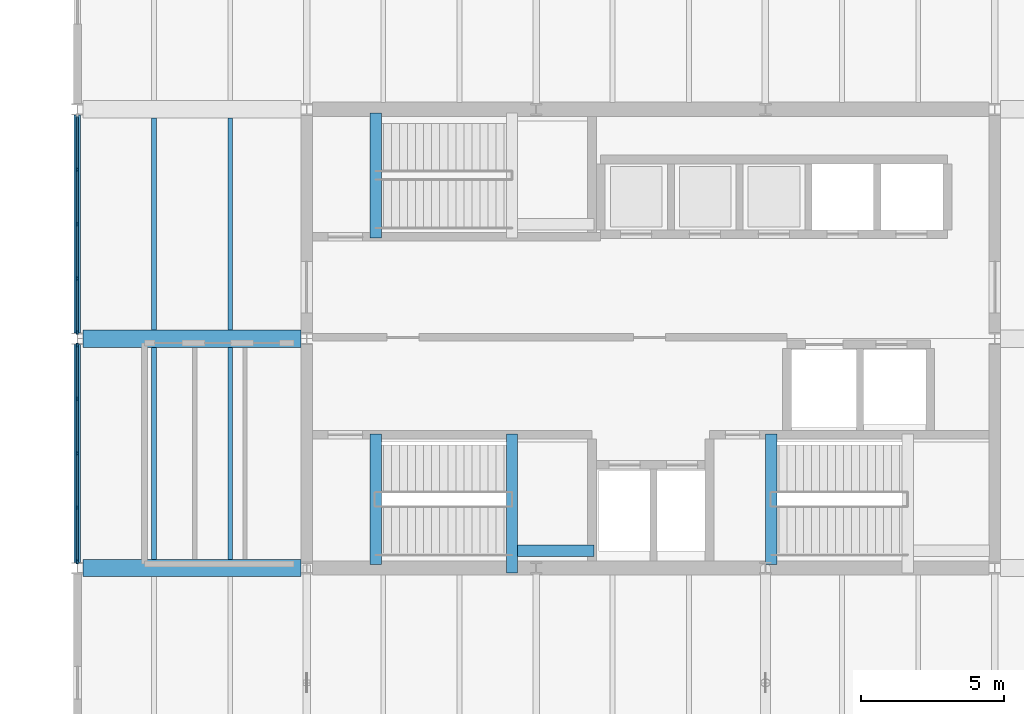
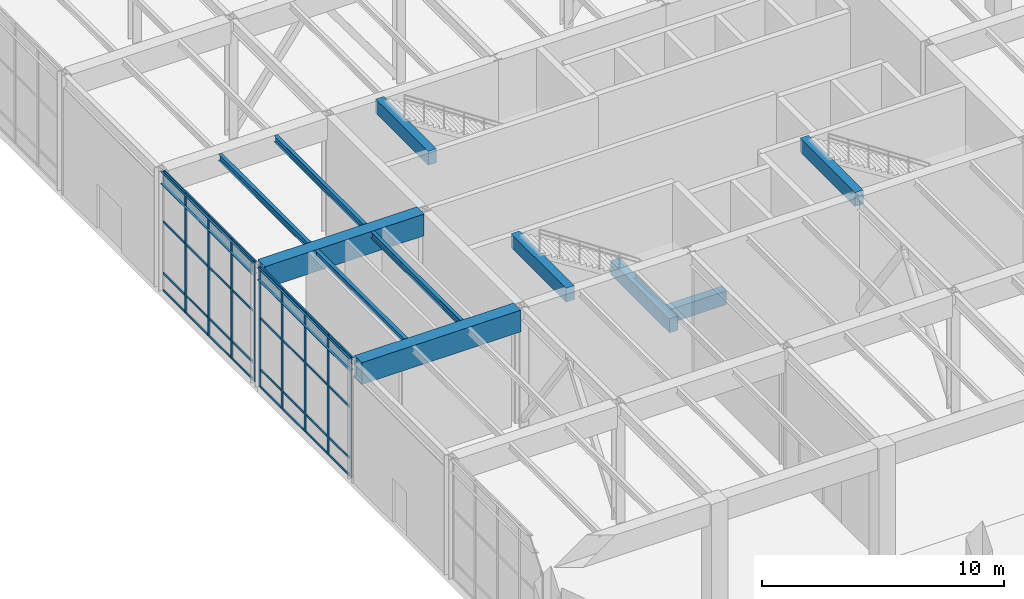
# One storey, part 10 of 51: 41 members, 13 beams, 2 elements without a shape of their own.
"""IFC4 building model written with IfcOpenShell, lengths in metres."""

from ifc_helpers import new_model, si_unit, direction, frame, origin, origin_2d, place, context, subcontext, project, spatial, rectangle, i_section, extrude, material, layer, layer_set, material_profile, profile_set, type_object, element, aggregate, save


model = new_model("IFC4")

# Units and contexts
model_context = context("Model", 3, precision=1e-05, world=origin(), true_north=direction((0.0, 1.0)))
body_context = subcontext(model_context, "Body", "Model", "MODEL_VIEW")
ifc_project = project(units=[si_unit("LENGTHUNIT", "METRE"), si_unit("AREAUNIT", "SQUARE_METRE"), si_unit("VOLUMEUNIT", "CUBIC_METRE"), si_unit("PLANEANGLEUNIT", "RADIAN"), si_unit("MASSUNIT", "GRAM", prefix="KILO")], contexts=[model_context])

# Site, building, storey
site_placement = place(None, origin())
site = spatial("IfcSite", under=ifc_project, at=site_placement, CompositionType="ELEMENT")
building_placement = place(site_placement, origin())
building = spatial("IfcBuilding", under=site, at=building_placement, Name="Varnela Railside Interchange", CompositionType="ELEMENT")
storey_placement = place(building_placement, origin())
storey = spatial("IfcBuildingStorey", under=building, at=storey_placement, Name="L00", CompositionType="ELEMENT", Elevation=0.0)

# Beams
ifc_material_1 = material(Name="Steel AR 350 (350 MPa)", Category="steel")
ifc_material_profile_1 = material_profile(ifc_material_1, i_section(OverallWidth=0.1669921875, OverallDepth=0.31689453125, WebThickness=0.007568359375, FlangeThickness=0.01318359375, at=origin_2d()), Name="W310x52")
ifc_profile_set_1 = profile_set([ifc_material_profile_1], Name="Steel AR 350 (350 MPa)")
beam_type_1 = type_object("IfcBeamType", Name="Composite Long-Span Joist J-03", PredefinedType="JOIST", material=ifc_profile_set_1)
for number, where, z_axis, x_axis, name in (
    (1, (6.669921875, 54.300048828125, 5.861572265625), (0.0, 1.0, 0.0), (-1.0, 0.0, 0.0), "Composite Long-Span Joist J-03 (L00) (BM-1030)"),
    (2, (9.330078125, 54.300048828125, 5.861572265625), (0.0, 1.0, 0.0), (-1.0, 0.0, 0.0), "Composite Long-Span Joist J-03 (L00) (BM-1031)"),
    (3, (6.669921875, 62.300048828125, 5.861572265625), (0.0, 1.0, 0.0), (-1.0, 0.0, 0.0), "Composite Long-Span Joist J-03 (L00) (BM-1032)"),
    (4, (9.330078125, 62.300048828125, 5.861572265625), (0.0, 1.0, 0.0), (-1.0, 0.0, 0.0), "Composite Long-Span Joist J-03 (L00) (BM-1033)"),
):
    element("IfcBeam", number, at=place(storey_placement, frame(where, z_axis=z_axis, x_axis=x_axis)), inside=storey, type_object=beam_type_1, Name=name, PredefinedType="JOIST", context=body_context, shape_type="SweptSolid", body=[
        extrude(i_section(OverallWidth=0.1669921875, OverallDepth=0.31689453125, WebThickness=0.007568359375, FlangeThickness=0.01318359375, at=origin_2d()), origin(), (0.0, 0.0, 1.0), 7.39990234375),
    ])
ifc_material_2 = material(Name="Concrete C50", Category="concrete")
ifc_material_profile_2 = material_profile(ifc_material_2, rectangle(XDim=0.60009765625, YDim=1.10009765625, at=origin_2d()), Name="RC 600x1100")
ifc_profile_set_2 = profile_set([ifc_material_profile_2], Name="Concrete C50")
beam_type_2 = type_object("IfcBeamType", Name="Concourse RC Girder B-06", PredefinedType="BEAM", material=ifc_profile_set_2)
for number, where, z_axis, x_axis, name in (
    (5, (4.200439453125, 54.0, 5.469970703125), (1.0, 0.0, 0.0), (0.0, 1.0, 0.0), "Concourse RC Girder B-06 (L00) (BM-1251)"),
    (6, (4.200439453125, 62.0, 5.469970703125), (1.0, 0.0, 0.0), (0.0, 1.0, 0.0), "Concourse RC Girder B-06 (L00) (BM-1264)"),
):
    element("IfcBeam", number, at=place(storey_placement, frame(where, z_axis=z_axis, x_axis=x_axis)), inside=storey, type_object=beam_type_2, Name=name, PredefinedType="BEAM", context=body_context, shape_type="SweptSolid", body=[
        extrude(rectangle(XDim=0.60009765625, YDim=1.10009765625, at=origin_2d()), origin(), (0.0, 0.0, 1.0), 7.5966796875),
    ])
ifc_material_3 = material(Name="Concrete C40", Category="concrete")
ifc_material_profile_3 = material_profile(ifc_material_3, rectangle(XDim=0.39990234375, YDim=0.699951171875, at=origin_2d()), Name="RC 400x700")
ifc_profile_set_3 = profile_set([ifc_material_profile_3], Name="Concrete C40")
beam_type_3 = type_object("IfcBeamType", Name="Concrete Tie Beam B-01", PredefinedType="BEAM", material=ifc_profile_set_3)
beam_1_placement = place(storey_placement, frame((14.39990234375, 54.1201171875, 5.669921875), z_axis=(0.0, 1.0, 0.0), x_axis=(-1.0, 0.0, 0.0)))
element("IfcBeam", 7, at=beam_1_placement, inside=storey, type_object=beam_type_3, Name="Concrete Tie Beam B-01 (L00) (BM-1454)", PredefinedType="BEAM", context=body_context, shape_type="SweptSolid", body=[
    extrude(rectangle(XDim=0.39990234375, YDim=0.699951171875, at=origin_2d()), origin(), (0.0, 0.0, 1.0), 4.559814453125),
])
beam_2_placement = place(storey_placement, frame((19.159912109375, 53.820068359375, 2.639892578125), z_axis=(0.0, 1.0, 0.0), x_axis=(-1.0, 0.0, 0.0)))
element("IfcBeam", 8, at=beam_2_placement, inside=storey, type_object=beam_type_3, Name="Concrete Tie Beam B-01 (L00) (BM-1441)", PredefinedType="BEAM", context=body_context, shape_type="SweptSolid", body=[
    extrude(rectangle(XDim=0.39990234375, YDim=0.699951171875, at=origin_2d()), origin(), (0.0, 0.0, 1.0), 4.85986328125),
])
beam_3_placement = place(storey_placement, frame((19.360107421875, 54.60009765625, 2.639892578125), z_axis=(1.0, 0.0, 0.0), x_axis=(0.0, 1.0, 0.0)))
element("IfcBeam", 9, at=beam_3_placement, inside=storey, type_object=beam_type_3, Name="Concrete Tie Beam B-01 (L00) (BM-1428)", PredefinedType="BEAM", context=body_context, shape_type="SweptSolid", body=[
    extrude(rectangle(XDim=0.39990234375, YDim=0.699951171875, at=origin_2d()), origin(), (0.0, 0.0, 1.0), 2.659912109375),
])
beam_4_placement = place(storey_placement, frame((28.199951171875, 54.1201171875, 5.669921875), z_axis=(0.0, 1.0, 0.0), x_axis=(-1.0, 0.0, 0.0)))
element("IfcBeam", 10, at=beam_4_placement, inside=storey, type_object=beam_type_3, Name="Concrete Tie Beam B-01 (L00) (BM-1455)", PredefinedType="BEAM", context=body_context, shape_type="SweptSolid", body=[
    extrude(rectangle(XDim=0.39990234375, YDim=0.699951171875, at=origin_2d()), origin(), (0.0, 0.0, 1.0), 4.559814453125),
])
beam_5_placement = place(storey_placement, frame((14.39990234375, 65.52001953125, 5.669921875), z_axis=(0.0, 1.0, 0.0), x_axis=(-1.0, 0.0, 0.0)))
element("IfcBeam", 11, at=beam_5_placement, inside=storey, type_object=beam_type_3, Name="Concrete Tie Beam B-01 (L00) (BM-1456)", PredefinedType="BEAM", context=body_context, shape_type="SweptSolid", body=[
    extrude(rectangle(XDim=0.39990234375, YDim=0.699951171875, at=origin_2d()), origin(), (0.0, 0.0, 1.0), 4.35986328125),
])

# Curtain wall, members
ifc_material_4 = material(Name="Aluminium 6063-T6", Category="aluminium")
ifc_layer = layer(ifc_material_4, 0.035888671875)
ifc_layer_set = layer_set([ifc_layer], Name="Aluminium 6063-T6")
curtain_wall_type = type_object("IfcCurtainWallType", Name="Operations Wing Facade Curtain Wall CW-03", PredefinedType="USERDEFINED", material=ifc_layer_set)
curtain_wall_1_placement = place(storey_placement, origin())
curtain_wall_1 = element("IfcCurtainWall", 12, at=curtain_wall_1_placement, inside=storey, type_object=curtain_wall_type, Name="Curtain Wall CW-03 (L00) (CW-017)", ObjectType="CURTAIN WALL", PredefinedType="USERDEFINED")
ifc_material_profile_4 = material_profile(ifc_material_4, rectangle(XDim=0.06005859375, YDim=0.139892578125, at=origin_2d()), Name="ALU 60x140")
ifc_profile_set_4 = profile_set([ifc_material_profile_4], Name="Aluminium 6063-T6")
member_type_1 = type_object("IfcMemberType", Name="Curtain Wall Mullion ML-01", PredefinedType="MULLION", material=ifc_profile_set_4)
member_1_placement = place(storey_placement, frame((4.0, 54.2294921875, 0.0), z_axis=(0.0, 0.0, 1.0), x_axis=(-1.0, 0.0, 0.0)))
member_1 = element("IfcMember", 13, at=member_1_placement, type_object=member_type_1, Name="CW-03 mullion 1", PredefinedType="MULLION", context=body_context, shape_type="SweptSolid", body=[
    extrude(rectangle(XDim=0.06005859375, YDim=0.139892578125, at=origin_2d()), origin(), (0.0, 0.0, 1.0), 6.02001953125),
])
member_2_placement = place(storey_placement, frame((4.0, 56.099853515625, 0.0), z_axis=(0.0, 0.0, 1.0), x_axis=(-1.0, 0.0, 0.0)))
member_2 = element("IfcMember", 14, at=member_2_placement, type_object=member_type_1, Name="CW-03 mullion 2", PredefinedType="MULLION", context=body_context, shape_type="SweptSolid", body=[
    extrude(rectangle(XDim=0.06005859375, YDim=0.139892578125, at=origin_2d()), origin(), (0.0, 0.0, 1.0), 6.02001953125),
])
member_3_placement = place(storey_placement, frame((4.0, 58.0, 0.0), z_axis=(0.0, 0.0, 1.0), x_axis=(-1.0, 0.0, 0.0)))
member_3 = element("IfcMember", 15, at=member_3_placement, type_object=member_type_1, Name="CW-03 mullion 3", PredefinedType="MULLION", context=body_context, shape_type="SweptSolid", body=[
    extrude(rectangle(XDim=0.06005859375, YDim=0.139892578125, at=origin_2d()), origin(), (0.0, 0.0, 1.0), 6.02001953125),
])
member_4_placement = place(storey_placement, frame((4.0, 59.900146484375, 0.0), z_axis=(0.0, 0.0, 1.0), x_axis=(-1.0, 0.0, 0.0)))
member_4 = element("IfcMember", 16, at=member_4_placement, type_object=member_type_1, Name="CW-03 mullion 4", PredefinedType="MULLION", context=body_context, shape_type="SweptSolid", body=[
    extrude(rectangle(XDim=0.06005859375, YDim=0.139892578125, at=origin_2d()), origin(), (0.0, 0.0, 1.0), 6.02001953125),
])
member_5_placement = place(storey_placement, frame((4.0, 61.7705078125, 0.0), z_axis=(0.0, 0.0, 1.0), x_axis=(-1.0, 0.0, 0.0)))
member_5 = element("IfcMember", 17, at=member_5_placement, type_object=member_type_1, Name="CW-03 mullion 5", PredefinedType="MULLION", context=body_context, shape_type="SweptSolid", body=[
    extrude(rectangle(XDim=0.06005859375, YDim=0.139892578125, at=origin_2d()), origin(), (0.0, 0.0, 1.0), 6.02001953125),
])

curtain_wall_2_placement = place(storey_placement, origin())
curtain_wall_2 = element("IfcCurtainWall", 18, at=curtain_wall_2_placement, inside=storey, type_object=curtain_wall_type, Name="Curtain Wall CW-03 (L00) (CW-018)", ObjectType="CURTAIN WALL", PredefinedType="USERDEFINED")
member_6_placement = place(storey_placement, frame((4.0, 62.2294921875, 0.0), z_axis=(0.0, 0.0, 1.0), x_axis=(-1.0, 0.0, 0.0)))
member_6 = element("IfcMember", 19, at=member_6_placement, type_object=member_type_1, Name="CW-03 mullion 1", PredefinedType="MULLION", context=body_context, shape_type="SweptSolid", body=[
    extrude(rectangle(XDim=0.06005859375, YDim=0.139892578125, at=origin_2d()), origin(), (0.0, 0.0, 1.0), 6.02001953125),
])
member_7_placement = place(storey_placement, frame((4.0, 64.099853515625, 0.0), z_axis=(0.0, 0.0, 1.0), x_axis=(-1.0, 0.0, 0.0)))
member_7 = element("IfcMember", 20, at=member_7_placement, type_object=member_type_1, Name="CW-03 mullion 2", PredefinedType="MULLION", context=body_context, shape_type="SweptSolid", body=[
    extrude(rectangle(XDim=0.06005859375, YDim=0.139892578125, at=origin_2d()), origin(), (0.0, 0.0, 1.0), 6.02001953125),
])
member_8_placement = place(storey_placement, frame((4.0, 66.0, 0.0), z_axis=(0.0, 0.0, 1.0), x_axis=(-1.0, 0.0, 0.0)))
member_8 = element("IfcMember", 21, at=member_8_placement, type_object=member_type_1, Name="CW-03 mullion 3", PredefinedType="MULLION", context=body_context, shape_type="SweptSolid", body=[
    extrude(rectangle(XDim=0.06005859375, YDim=0.139892578125, at=origin_2d()), origin(), (0.0, 0.0, 1.0), 6.02001953125),
])
member_9_placement = place(storey_placement, frame((4.0, 67.900146484375, 0.0), z_axis=(0.0, 0.0, 1.0), x_axis=(-1.0, 0.0, 0.0)))
member_9 = element("IfcMember", 22, at=member_9_placement, type_object=member_type_1, Name="CW-03 mullion 4", PredefinedType="MULLION", context=body_context, shape_type="SweptSolid", body=[
    extrude(rectangle(XDim=0.06005859375, YDim=0.139892578125, at=origin_2d()), origin(), (0.0, 0.0, 1.0), 6.02001953125),
])

# Member
ifc_material_profile_5 = material_profile(ifc_material_4, rectangle(XDim=0.06005859375, YDim=0.110107421875, at=origin_2d()), Name="ALU 60x110")
ifc_profile_set_5 = profile_set([ifc_material_profile_5], Name="Aluminium 6063-T6")
member_type_2 = type_object("IfcMemberType", Name="Curtain Wall Transom TR-01", PredefinedType="USERDEFINED", material=ifc_profile_set_5)
member_10_placement = place(storey_placement, frame((4.0, 54.259521484375, 0.030029296875), z_axis=(0.0, 1.0, 0.0), x_axis=(-1.0, 0.0, 0.0)))
member_10 = element("IfcMember", 23, at=member_10_placement, type_object=member_type_2, Name="CW-03 transom 1.1", ObjectType="TRANSOM", PredefinedType="USERDEFINED", context=body_context, shape_type="SweptSolid", body=[
    extrude(rectangle(XDim=0.06005859375, YDim=0.110107421875, at=origin_2d()), origin(), (0.0, 0.0, 1.0), 1.810302734375),
])

member_11_placement = place(storey_placement, frame((4.0, 54.259521484375, 0.89990234375), z_axis=(0.0, 1.0, 0.0), x_axis=(-1.0, 0.0, 0.0)))
member_11 = element("IfcMember", 24, at=member_11_placement, type_object=member_type_2, Name="CW-03 transom 1.2", ObjectType="TRANSOM", PredefinedType="USERDEFINED", context=body_context, shape_type="SweptSolid", body=[
    extrude(rectangle(XDim=0.06005859375, YDim=0.110107421875, at=origin_2d()), origin(), (0.0, 0.0, 1.0), 1.810302734375),
])

member_12_placement = place(storey_placement, frame((4.0, 54.259521484375, 3.49169921875), z_axis=(0.0, 1.0, 0.0), x_axis=(-1.0, 0.0, 0.0)))
member_12 = element("IfcMember", 25, at=member_12_placement, type_object=member_type_2, Name="CW-03 transom 1.3", ObjectType="TRANSOM", PredefinedType="USERDEFINED", context=body_context, shape_type="SweptSolid", body=[
    extrude(rectangle(XDim=0.06005859375, YDim=0.110107421875, at=origin_2d()), origin(), (0.0, 0.0, 1.0), 1.810302734375),
])

member_13_placement = place(storey_placement, frame((4.0, 54.259521484375, 5.989990234375), z_axis=(0.0, 1.0, 0.0), x_axis=(-1.0, 0.0, 0.0)))
member_13 = element("IfcMember", 26, at=member_13_placement, type_object=member_type_2, Name="CW-03 transom 1.4", ObjectType="TRANSOM", PredefinedType="USERDEFINED", context=body_context, shape_type="SweptSolid", body=[
    extrude(rectangle(XDim=0.06005859375, YDim=0.110107421875, at=origin_2d()), origin(), (0.0, 0.0, 1.0), 1.810302734375),
])

member_14_placement = place(storey_placement, frame((4.0, 56.129638671875, 0.030029296875), z_axis=(0.0, 1.0, 0.0), x_axis=(-1.0, 0.0, 0.0)))
member_14 = element("IfcMember", 27, at=member_14_placement, type_object=member_type_2, Name="CW-03 transom 2.1", ObjectType="TRANSOM", PredefinedType="USERDEFINED", context=body_context, shape_type="SweptSolid", body=[
    extrude(rectangle(XDim=0.06005859375, YDim=0.110107421875, at=origin_2d()), origin(), (0.0, 0.0, 1.0), 1.84033203125),
])

member_15_placement = place(storey_placement, frame((4.0, 56.129638671875, 0.89990234375), z_axis=(0.0, 1.0, 0.0), x_axis=(-1.0, 0.0, 0.0)))
member_15 = element("IfcMember", 28, at=member_15_placement, type_object=member_type_2, Name="CW-03 transom 2.2", ObjectType="TRANSOM", PredefinedType="USERDEFINED", context=body_context, shape_type="SweptSolid", body=[
    extrude(rectangle(XDim=0.06005859375, YDim=0.110107421875, at=origin_2d()), origin(), (0.0, 0.0, 1.0), 1.84033203125),
])

member_16_placement = place(storey_placement, frame((4.0, 56.129638671875, 3.49169921875), z_axis=(0.0, 1.0, 0.0), x_axis=(-1.0, 0.0, 0.0)))
member_16 = element("IfcMember", 29, at=member_16_placement, type_object=member_type_2, Name="CW-03 transom 2.3", ObjectType="TRANSOM", PredefinedType="USERDEFINED", context=body_context, shape_type="SweptSolid", body=[
    extrude(rectangle(XDim=0.06005859375, YDim=0.110107421875, at=origin_2d()), origin(), (0.0, 0.0, 1.0), 1.84033203125),
])

member_17_placement = place(storey_placement, frame((4.0, 56.129638671875, 5.989990234375), z_axis=(0.0, 1.0, 0.0), x_axis=(-1.0, 0.0, 0.0)))
member_17 = element("IfcMember", 30, at=member_17_placement, type_object=member_type_2, Name="CW-03 transom 2.4", ObjectType="TRANSOM", PredefinedType="USERDEFINED", context=body_context, shape_type="SweptSolid", body=[
    extrude(rectangle(XDim=0.06005859375, YDim=0.110107421875, at=origin_2d()), origin(), (0.0, 0.0, 1.0), 1.84033203125),
])

member_18_placement = place(storey_placement, frame((4.0, 58.030029296875, 0.030029296875), z_axis=(0.0, 1.0, 0.0), x_axis=(-1.0, 0.0, 0.0)))
member_18 = element("IfcMember", 31, at=member_18_placement, type_object=member_type_2, Name="CW-03 transom 3.1", ObjectType="TRANSOM", PredefinedType="USERDEFINED", context=body_context, shape_type="SweptSolid", body=[
    extrude(rectangle(XDim=0.06005859375, YDim=0.110107421875, at=origin_2d()), origin(), (0.0, 0.0, 1.0), 1.84033203125),
])

member_19_placement = place(storey_placement, frame((4.0, 58.030029296875, 0.89990234375), z_axis=(0.0, 1.0, 0.0), x_axis=(-1.0, 0.0, 0.0)))
member_19 = element("IfcMember", 32, at=member_19_placement, type_object=member_type_2, Name="CW-03 transom 3.2", ObjectType="TRANSOM", PredefinedType="USERDEFINED", context=body_context, shape_type="SweptSolid", body=[
    extrude(rectangle(XDim=0.06005859375, YDim=0.110107421875, at=origin_2d()), origin(), (0.0, 0.0, 1.0), 1.84033203125),
])

member_20_placement = place(storey_placement, frame((4.0, 58.030029296875, 3.49169921875), z_axis=(0.0, 1.0, 0.0), x_axis=(-1.0, 0.0, 0.0)))
member_20 = element("IfcMember", 33, at=member_20_placement, type_object=member_type_2, Name="CW-03 transom 3.3", ObjectType="TRANSOM", PredefinedType="USERDEFINED", context=body_context, shape_type="SweptSolid", body=[
    extrude(rectangle(XDim=0.06005859375, YDim=0.110107421875, at=origin_2d()), origin(), (0.0, 0.0, 1.0), 1.84033203125),
])

member_21_placement = place(storey_placement, frame((4.0, 58.030029296875, 5.989990234375), z_axis=(0.0, 1.0, 0.0), x_axis=(-1.0, 0.0, 0.0)))
member_21 = element("IfcMember", 34, at=member_21_placement, type_object=member_type_2, Name="CW-03 transom 3.4", ObjectType="TRANSOM", PredefinedType="USERDEFINED", context=body_context, shape_type="SweptSolid", body=[
    extrude(rectangle(XDim=0.06005859375, YDim=0.110107421875, at=origin_2d()), origin(), (0.0, 0.0, 1.0), 1.84033203125),
])

member_22_placement = place(storey_placement, frame((4.0, 59.93017578125, 0.030029296875), z_axis=(0.0, 1.0, 0.0), x_axis=(-1.0, 0.0, 0.0)))
member_22 = element("IfcMember", 35, at=member_22_placement, type_object=member_type_2, Name="CW-03 transom 4.1", ObjectType="TRANSOM", PredefinedType="USERDEFINED", context=body_context, shape_type="SweptSolid", body=[
    extrude(rectangle(XDim=0.06005859375, YDim=0.110107421875, at=origin_2d()), origin(), (0.0, 0.0, 1.0), 1.810302734375),
])

member_23_placement = place(storey_placement, frame((4.0, 59.93017578125, 0.89990234375), z_axis=(0.0, 1.0, 0.0), x_axis=(-1.0, 0.0, 0.0)))
member_23 = element("IfcMember", 36, at=member_23_placement, type_object=member_type_2, Name="CW-03 transom 4.2", ObjectType="TRANSOM", PredefinedType="USERDEFINED", context=body_context, shape_type="SweptSolid", body=[
    extrude(rectangle(XDim=0.06005859375, YDim=0.110107421875, at=origin_2d()), origin(), (0.0, 0.0, 1.0), 1.810302734375),
])

member_24_placement = place(storey_placement, frame((4.0, 59.93017578125, 3.49169921875), z_axis=(0.0, 1.0, 0.0), x_axis=(-1.0, 0.0, 0.0)))
member_24 = element("IfcMember", 37, at=member_24_placement, type_object=member_type_2, Name="CW-03 transom 4.3", ObjectType="TRANSOM", PredefinedType="USERDEFINED", context=body_context, shape_type="SweptSolid", body=[
    extrude(rectangle(XDim=0.06005859375, YDim=0.110107421875, at=origin_2d()), origin(), (0.0, 0.0, 1.0), 1.810302734375),
])

member_25_placement = place(storey_placement, frame((4.0, 59.93017578125, 5.989990234375), z_axis=(0.0, 1.0, 0.0), x_axis=(-1.0, 0.0, 0.0)))
member_25 = element("IfcMember", 38, at=member_25_placement, type_object=member_type_2, Name="CW-03 transom 4.4", ObjectType="TRANSOM", PredefinedType="USERDEFINED", context=body_context, shape_type="SweptSolid", body=[
    extrude(rectangle(XDim=0.06005859375, YDim=0.110107421875, at=origin_2d()), origin(), (0.0, 0.0, 1.0), 1.810302734375),
])

aggregate(curtain_wall_1, [member_1, member_2, member_3, member_4, member_5, member_10, member_11, member_12, member_13, member_14, member_15, member_16, member_17, member_18, member_19, member_20, member_21, member_22, member_23, member_24, member_25])

member_26_placement = place(storey_placement, frame((4.0, 62.259521484375, 0.030029296875), z_axis=(0.0, 1.0, 0.0), x_axis=(-1.0, 0.0, 0.0)))
member_26 = element("IfcMember", 39, at=member_26_placement, type_object=member_type_2, Name="CW-03 transom 1.1", ObjectType="TRANSOM", PredefinedType="USERDEFINED", context=body_context, shape_type="SweptSolid", body=[
    extrude(rectangle(XDim=0.06005859375, YDim=0.110107421875, at=origin_2d()), origin(), (0.0, 0.0, 1.0), 1.810302734375),
])

member_27_placement = place(storey_placement, frame((4.0, 62.259521484375, 0.89990234375), z_axis=(0.0, 1.0, 0.0), x_axis=(-1.0, 0.0, 0.0)))
member_27 = element("IfcMember", 40, at=member_27_placement, type_object=member_type_2, Name="CW-03 transom 1.2", ObjectType="TRANSOM", PredefinedType="USERDEFINED", context=body_context, shape_type="SweptSolid", body=[
    extrude(rectangle(XDim=0.06005859375, YDim=0.110107421875, at=origin_2d()), origin(), (0.0, 0.0, 1.0), 1.810302734375),
])

member_28_placement = place(storey_placement, frame((4.0, 62.259521484375, 3.49169921875), z_axis=(0.0, 1.0, 0.0), x_axis=(-1.0, 0.0, 0.0)))
member_28 = element("IfcMember", 41, at=member_28_placement, type_object=member_type_2, Name="CW-03 transom 1.3", ObjectType="TRANSOM", PredefinedType="USERDEFINED", context=body_context, shape_type="SweptSolid", body=[
    extrude(rectangle(XDim=0.06005859375, YDim=0.110107421875, at=origin_2d()), origin(), (0.0, 0.0, 1.0), 1.810302734375),
])

member_29_placement = place(storey_placement, frame((4.0, 62.259521484375, 5.989990234375), z_axis=(0.0, 1.0, 0.0), x_axis=(-1.0, 0.0, 0.0)))
member_29 = element("IfcMember", 42, at=member_29_placement, type_object=member_type_2, Name="CW-03 transom 1.4", ObjectType="TRANSOM", PredefinedType="USERDEFINED", context=body_context, shape_type="SweptSolid", body=[
    extrude(rectangle(XDim=0.06005859375, YDim=0.110107421875, at=origin_2d()), origin(), (0.0, 0.0, 1.0), 1.810302734375),
])

member_30_placement = place(storey_placement, frame((4.0, 64.129638671875, 0.030029296875), z_axis=(0.0, 1.0, 0.0), x_axis=(-1.0, 0.0, 0.0)))
member_30 = element("IfcMember", 43, at=member_30_placement, type_object=member_type_2, Name="CW-03 transom 2.1", ObjectType="TRANSOM", PredefinedType="USERDEFINED", context=body_context, shape_type="SweptSolid", body=[
    extrude(rectangle(XDim=0.06005859375, YDim=0.110107421875, at=origin_2d()), origin(), (0.0, 0.0, 1.0), 1.84033203125),
])

member_31_placement = place(storey_placement, frame((4.0, 64.129638671875, 0.89990234375), z_axis=(0.0, 1.0, 0.0), x_axis=(-1.0, 0.0, 0.0)))
member_31 = element("IfcMember", 44, at=member_31_placement, type_object=member_type_2, Name="CW-03 transom 2.2", ObjectType="TRANSOM", PredefinedType="USERDEFINED", context=body_context, shape_type="SweptSolid", body=[
    extrude(rectangle(XDim=0.06005859375, YDim=0.110107421875, at=origin_2d()), origin(), (0.0, 0.0, 1.0), 1.84033203125),
])

member_32_placement = place(storey_placement, frame((4.0, 64.129638671875, 3.49169921875), z_axis=(0.0, 1.0, 0.0), x_axis=(-1.0, 0.0, 0.0)))
member_32 = element("IfcMember", 45, at=member_32_placement, type_object=member_type_2, Name="CW-03 transom 2.3", ObjectType="TRANSOM", PredefinedType="USERDEFINED", context=body_context, shape_type="SweptSolid", body=[
    extrude(rectangle(XDim=0.06005859375, YDim=0.110107421875, at=origin_2d()), origin(), (0.0, 0.0, 1.0), 1.84033203125),
])

member_33_placement = place(storey_placement, frame((4.0, 64.129638671875, 5.989990234375), z_axis=(0.0, 1.0, 0.0), x_axis=(-1.0, 0.0, 0.0)))
member_33 = element("IfcMember", 46, at=member_33_placement, type_object=member_type_2, Name="CW-03 transom 2.4", ObjectType="TRANSOM", PredefinedType="USERDEFINED", context=body_context, shape_type="SweptSolid", body=[
    extrude(rectangle(XDim=0.06005859375, YDim=0.110107421875, at=origin_2d()), origin(), (0.0, 0.0, 1.0), 1.84033203125),
])

member_34_placement = place(storey_placement, frame((4.0, 66.030029296875, 0.030029296875), z_axis=(0.0, 1.0, 0.0), x_axis=(-1.0, 0.0, 0.0)))
member_34 = element("IfcMember", 47, at=member_34_placement, type_object=member_type_2, Name="CW-03 transom 3.1", ObjectType="TRANSOM", PredefinedType="USERDEFINED", context=body_context, shape_type="SweptSolid", body=[
    extrude(rectangle(XDim=0.06005859375, YDim=0.110107421875, at=origin_2d()), origin(), (0.0, 0.0, 1.0), 1.84033203125),
])

member_35_placement = place(storey_placement, frame((4.0, 66.030029296875, 0.89990234375), z_axis=(0.0, 1.0, 0.0), x_axis=(-1.0, 0.0, 0.0)))
member_35 = element("IfcMember", 48, at=member_35_placement, type_object=member_type_2, Name="CW-03 transom 3.2", ObjectType="TRANSOM", PredefinedType="USERDEFINED", context=body_context, shape_type="SweptSolid", body=[
    extrude(rectangle(XDim=0.06005859375, YDim=0.110107421875, at=origin_2d()), origin(), (0.0, 0.0, 1.0), 1.84033203125),
])

member_36_placement = place(storey_placement, frame((4.0, 66.030029296875, 3.49169921875), z_axis=(0.0, 1.0, 0.0), x_axis=(-1.0, 0.0, 0.0)))
member_36 = element("IfcMember", 49, at=member_36_placement, type_object=member_type_2, Name="CW-03 transom 3.3", ObjectType="TRANSOM", PredefinedType="USERDEFINED", context=body_context, shape_type="SweptSolid", body=[
    extrude(rectangle(XDim=0.06005859375, YDim=0.110107421875, at=origin_2d()), origin(), (0.0, 0.0, 1.0), 1.84033203125),
])

member_37_placement = place(storey_placement, frame((4.0, 66.030029296875, 5.989990234375), z_axis=(0.0, 1.0, 0.0), x_axis=(-1.0, 0.0, 0.0)))
member_37 = element("IfcMember", 50, at=member_37_placement, type_object=member_type_2, Name="CW-03 transom 3.4", ObjectType="TRANSOM", PredefinedType="USERDEFINED", context=body_context, shape_type="SweptSolid", body=[
    extrude(rectangle(XDim=0.06005859375, YDim=0.110107421875, at=origin_2d()), origin(), (0.0, 0.0, 1.0), 1.84033203125),
])

member_38_placement = place(storey_placement, frame((4.0, 67.93017578125, 0.030029296875), z_axis=(0.0, 1.0, 0.0), x_axis=(-1.0, 0.0, 0.0)))
member_38 = element("IfcMember", 51, at=member_38_placement, type_object=member_type_2, Name="CW-03 transom 4.1", ObjectType="TRANSOM", PredefinedType="USERDEFINED", context=body_context, shape_type="SweptSolid", body=[
    extrude(rectangle(XDim=0.06005859375, YDim=0.110107421875, at=origin_2d()), origin(), (0.0, 0.0, 1.0), 1.810302734375),
])

member_39_placement = place(storey_placement, frame((4.0, 67.93017578125, 0.89990234375), z_axis=(0.0, 1.0, 0.0), x_axis=(-1.0, 0.0, 0.0)))
member_39 = element("IfcMember", 52, at=member_39_placement, type_object=member_type_2, Name="CW-03 transom 4.2", ObjectType="TRANSOM", PredefinedType="USERDEFINED", context=body_context, shape_type="SweptSolid", body=[
    extrude(rectangle(XDim=0.06005859375, YDim=0.110107421875, at=origin_2d()), origin(), (0.0, 0.0, 1.0), 1.810302734375),
])

member_40_placement = place(storey_placement, frame((4.0, 67.93017578125, 3.49169921875), z_axis=(0.0, 1.0, 0.0), x_axis=(-1.0, 0.0, 0.0)))
member_40 = element("IfcMember", 53, at=member_40_placement, type_object=member_type_2, Name="CW-03 transom 4.3", ObjectType="TRANSOM", PredefinedType="USERDEFINED", context=body_context, shape_type="SweptSolid", body=[
    extrude(rectangle(XDim=0.06005859375, YDim=0.110107421875, at=origin_2d()), origin(), (0.0, 0.0, 1.0), 1.810302734375),
])

member_41_placement = place(storey_placement, frame((4.0, 67.93017578125, 5.989990234375), z_axis=(0.0, 1.0, 0.0), x_axis=(-1.0, 0.0, 0.0)))
member_41 = element("IfcMember", 54, at=member_41_placement, type_object=member_type_2, Name="CW-03 transom 4.4", ObjectType="TRANSOM", PredefinedType="USERDEFINED", context=body_context, shape_type="SweptSolid", body=[
    extrude(rectangle(XDim=0.06005859375, YDim=0.110107421875, at=origin_2d()), origin(), (0.0, 0.0, 1.0), 1.810302734375),
])

aggregate(curtain_wall_2, [member_6, member_7, member_8, member_9, member_26, member_27, member_28, member_29, member_30, member_31, member_32, member_33, member_34, member_35, member_36, member_37, member_38, member_39, member_40, member_41])

# Beams
ifc_material_profile_6 = material_profile(ifc_material_1, i_section(OverallWidth=0.22900390625, OverallDepth=0.612060546875, WebThickness=0.011962890625, FlangeThickness=0.01953125, at=origin_2d()), Name="W610x125")
ifc_profile_set_6 = profile_set([ifc_material_profile_6], Name="Steel AR 350 (350 MPa)")
beam_type_4 = type_object("IfcBeamType", Name="Podium Composite Girder B-15", PredefinedType="BEAM", material=ifc_profile_set_6)
for number, where, z_axis, x_axis, name in (
    (55, (4.0, 54.199462890625, 5.714111328125), (0.0, 1.0, 0.0), (-1.0, 0.0, 0.0), "Podium Composite Girder B-15 (L00) (BM-1344)"),
    (56, (4.0, 62.199462890625, 5.714111328125), (0.0, 1.0, 0.0), (-1.0, 0.0, 0.0), "Podium Composite Girder B-15 (L00) (BM-1345)"),
):
    element("IfcBeam", number, at=place(storey_placement, frame(where, z_axis=z_axis, x_axis=x_axis)), inside=storey, type_object=beam_type_4, Name=name, PredefinedType="BEAM", context=body_context, shape_type="SweptSolid", body=[
        extrude(i_section(OverallWidth=0.22900390625, OverallDepth=0.612060546875, WebThickness=0.011962890625, FlangeThickness=0.01953125, at=origin_2d()), origin(), (0.0, 0.0, 1.0), 7.60107421875),
    ])

save(model, "model.ifc")
